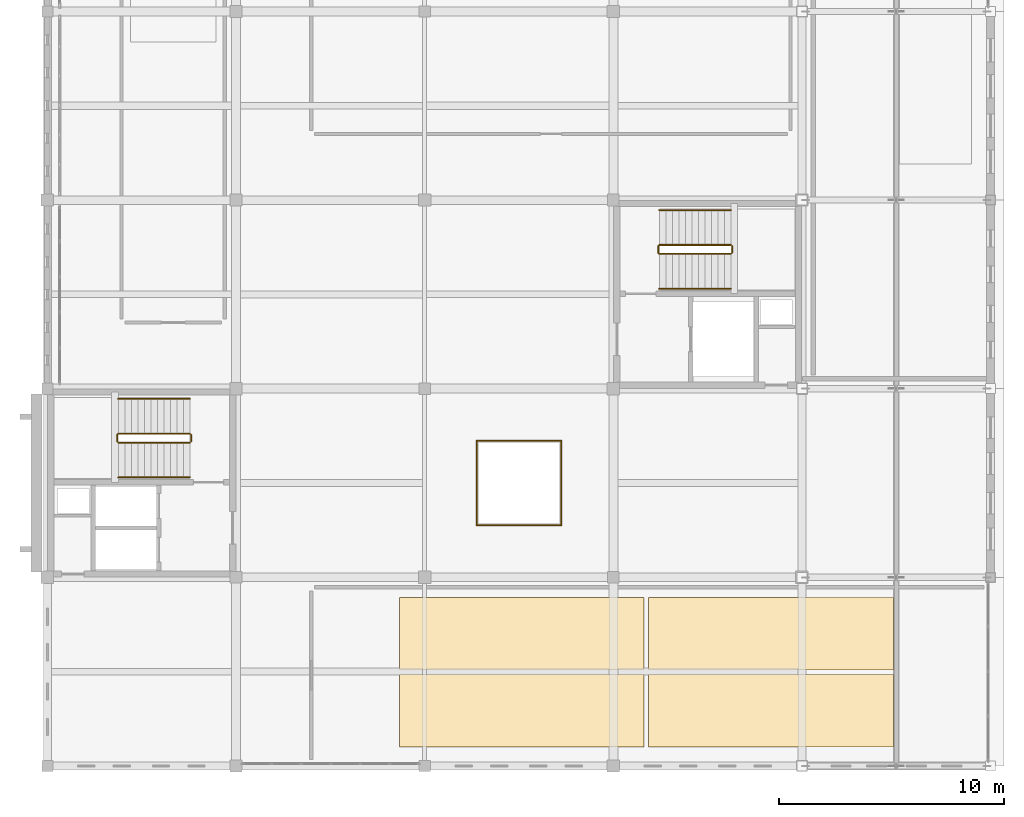
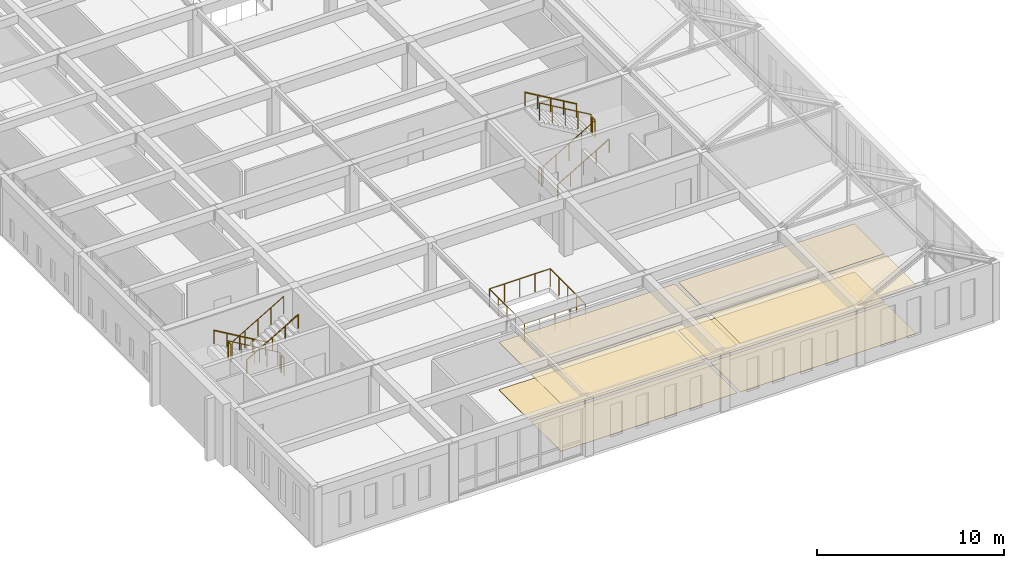
# One storey, part 34 of 36: 16 railings, 8 coverings.
"""IFC4 building model written with IfcOpenShell, lengths in metres."""

from ifc_helpers import new_model, si_unit, direction, frame, origin, origin_2d, place, context, subcontext, project, spatial, rectangle, circle, extrude, material, layer, layer_set, type_object, element, save


model = new_model("IFC4")

# Units and contexts
model_context = context("Model", 3, precision=1e-05, world=origin(), true_north=direction((0.0, 1.0)))
body_context = subcontext(model_context, "Body", "Model", "MODEL_VIEW")
ifc_project = project(units=[si_unit("LENGTHUNIT", "METRE"), si_unit("AREAUNIT", "SQUARE_METRE"), si_unit("VOLUMEUNIT", "CUBIC_METRE"), si_unit("PLANEANGLEUNIT", "RADIAN"), si_unit("MASSUNIT", "GRAM", prefix="KILO")], contexts=[model_context])

# Site, building, storey
site_placement = place(None, origin())
site = spatial("IfcSite", under=ifc_project, at=site_placement, CompositionType="ELEMENT")
building_placement = place(site_placement, origin())
building = spatial("IfcBuilding", under=site, at=building_placement, Name="Kveldsbrygga Polytechnic", CompositionType="ELEMENT")
storey_placement = place(building_placement, frame((0.0, 0.0, 22.10009765625)))
storey = spatial("IfcBuildingStorey", under=building, at=storey_placement, Name="L05", CompositionType="ELEMENT", Elevation=22.10009765625)

# Coverings
ifc_material_1 = material(Name="Acoustic mineral baffle ceiling")
ifc_layer_1 = layer(ifc_material_1, 0.030029296875)
ifc_layer_set_1 = layer_set([ifc_layer_1], Name="Acoustic mineral baffle ceiling")
covering_type_1 = type_object("IfcCoveringType", Name="COV-CEIL-AC30", PredefinedType="CEILING", material=ifc_layer_set_1)
for number, where, z_axis, x_axis, name in (
    (1, (147.125, 19.262451171875, 3.10009765625), (0.0, 0.0, 1.0), (1.0, 0.0, 0.0), "Acoustic Ceiling SP-L05-STD51-WS"),
    (2, (147.125, 22.6875, 3.10009765625), (0.0, 0.0, 1.0), (1.0, 0.0, 0.0), "Acoustic Ceiling SP-L05-STD51-WN"),
    (3, (158.22509765625, 19.262451171875, 3.14990234375), (0.0, 0.0, 1.0), (1.0, 0.0, 0.0), "Acoustic Ceiling SP-L05-STD51-ES"),
    (4, (158.22509765625, 22.6875, 3.14990234375), (0.0, 0.0, 1.0), (1.0, 0.0, 0.0), "Acoustic Ceiling SP-L05-STD51-EN"),
):
    element("IfcCovering", number, at=place(storey_placement, frame(where, z_axis=z_axis, x_axis=x_axis)), inside=storey, type_object=covering_type_1, Name=name, PredefinedType="CEILING", context=body_context, shape_type="SweptSolid", body=[
        extrude(rectangle(XDim=10.89990234375, YDim=3.22509765625, at=origin_2d()), origin(), (0.0, 0.0, 1.0), 0.030029296875),
    ])
ifc_material_2 = material(Name="Acoustic oak timber flooring", Category="wood")
ifc_layer_2 = layer(ifc_material_2, 0.02197265625)
ifc_layer_set_2 = layer_set([ifc_layer_2], Name="Acoustic oak timber flooring")
covering_type_2 = type_object("IfcCoveringType", Name="COV-FLR-OAK22", PredefinedType="FLOORING", material=ifc_layer_set_2)
for number, where, z_axis, x_axis, name in (
    (5, (147.125, 19.262451171875, 0.0), (0.0, 0.0, 1.0), (1.0, 0.0, 0.0), "Room Flooring SP-L05-STD51-WS"),
    (6, (147.125, 22.6875, 0.0), (0.0, 0.0, 1.0), (1.0, 0.0, 0.0), "Room Flooring SP-L05-STD51-WN"),
    (7, (158.22509765625, 19.262451171875, 0.0), (0.0, 0.0, 1.0), (1.0, 0.0, 0.0), "Room Flooring SP-L05-STD51-ES"),
    (8, (158.22509765625, 22.6875, 0.0), (0.0, 0.0, 1.0), (1.0, 0.0, 0.0), "Room Flooring SP-L05-STD51-EN"),
):
    element("IfcCovering", number, at=place(storey_placement, frame(where, z_axis=z_axis, x_axis=x_axis)), inside=storey, type_object=covering_type_2, Name=name, PredefinedType="FLOORING", context=body_context, shape_type="SweptSolid", body=[
        extrude(rectangle(XDim=10.89990234375, YDim=3.22509765625, at=origin_2d()), origin(), (0.0, 0.0, 1.0), 0.02197265625),
    ])

# Railings
ifc_material_3 = material(Name="Steel S355", Category="steel")
railing_type_1 = type_object("IfcRailingType", Name="RL-STAIR-GRD", PredefinedType="GUARDRAIL", material=ifc_material_3)
railing_1_placement = place(storey_placement, frame((132.35009765625, 31.60009765625, 0.169921875)))
element("IfcRailing", 9, at=railing_1_placement, inside=storey, type_object=railing_type_1, Name="L05 ST-1 stair guard 1", PredefinedType="GUARDRAIL", context=body_context, shape_type="SweptSolid", body=[
    extrude(circle(Radius=0.02392578125, at=origin_2d()), frame((0.0, 0.0, 1.1259765625), z_axis=(-0.862725780356, 0.0, 0.505672055693), x_axis=(0.0, -1.0, 0.0)), (0.0, 0.0, 1.0), 3.69775390625),
    extrude(circle(Radius=0.02099609375, at=origin_2d()), origin(), (0.0, 0.0, 1.0), 1.097900390625),
    extrude(circle(Radius=0.02099609375, at=origin_2d()), frame((-0.797607421875, 0.0, 0.467529296875)), (0.0, 0.0, 1.0), 1.097900390625),
    extrude(circle(Radius=0.02099609375, at=origin_2d()), frame((-1.59521484375, 0.0, 0.93505859375)), (0.0, 0.0, 1.0), 1.097900390625),
    extrude(circle(Radius=0.02099609375, at=origin_2d()), frame((-2.392578125, 0.0, 1.40234375)), (0.0, 0.0, 1.0), 1.097900390625),
    extrude(circle(Radius=0.02099609375, at=origin_2d()), frame((-3.190185546875, 0.0, 1.869873046875)), (0.0, 0.0, 1.0), 1.097900390625),
])
railing_2_placement = place(storey_placement, frame((129.110107421875, 31.550048828125, 2.039794921875)))
element("IfcRailing", 10, at=railing_2_placement, inside=storey, type_object=railing_type_1, Name="L05 ST-1 stair guard 2", PredefinedType="GUARDRAIL", context=body_context, shape_type="SweptSolid", body=[
    extrude(circle(Radius=0.02392578125, at=origin_2d()), frame((0.0, 0.0, 1.1259765625), z_axis=(0.0, -1.0, 0.0), x_axis=(1.0, 0.0, 0.0)), (0.0, 0.0, 1.0), 0.300048828125),
    extrude(circle(Radius=0.02099609375, at=origin_2d()), origin(), (0.0, 0.0, 1.0), 1.097900390625),
    extrude(circle(Radius=0.02099609375, at=origin_2d()), frame((0.0, -0.300048828125, 0.0)), (0.0, 0.0, 1.0), 1.097900390625),
])
railing_3_placement = place(storey_placement, frame((129.159912109375, 31.199951171875, 2.2099609375)))
element("IfcRailing", 11, at=railing_3_placement, inside=storey, type_object=railing_type_1, Name="L05 ST-1 stair guard 3", PredefinedType="GUARDRAIL", context=body_context, shape_type="SweptSolid", body=[
    extrude(circle(Radius=0.02392578125, at=origin_2d()), frame((0.0, 0.0, 1.1259765625), z_axis=(0.862725780356, 0.0, 0.505672055693), x_axis=(0.0, 1.0, 0.0)), (0.0, 0.0, 1.0), 3.69775390625),
    extrude(circle(Radius=0.02099609375, at=origin_2d()), origin(), (0.0, 0.0, 1.0), 1.097900390625),
    extrude(circle(Radius=0.02099609375, at=origin_2d()), frame((0.797607421875, 0.0, 0.467529296875)), (0.0, 0.0, 1.0), 1.097900390625),
    extrude(circle(Radius=0.02099609375, at=origin_2d()), frame((1.59521484375, 0.0, 0.93505859375)), (0.0, 0.0, 1.0), 1.097900390625),
    extrude(circle(Radius=0.02099609375, at=origin_2d()), frame((2.392578125, 0.0, 1.40234375)), (0.0, 0.0, 1.0), 1.097900390625),
    extrude(circle(Radius=0.02099609375, at=origin_2d()), frame((3.190185546875, 0.0, 1.869873046875)), (0.0, 0.0, 1.0), 1.097900390625),
])
railing_4_placement = place(storey_placement, frame((132.39990234375, 31.550048828125, 0.0)))
element("IfcRailing", 12, at=railing_4_placement, inside=storey, type_object=railing_type_1, Name="L05 ST-1 stair guard 4", PredefinedType="GUARDRAIL", context=body_context, shape_type="SweptSolid", body=[
    extrude(circle(Radius=0.02392578125, at=origin_2d()), frame((0.0, 0.0, 1.1259765625), z_axis=(0.0, -1.0, 0.0), x_axis=(1.0, 0.0, 0.0)), (0.0, 0.0, 1.0), 0.300048828125),
    extrude(circle(Radius=0.02099609375, at=origin_2d()), origin(), (0.0, 0.0, 1.0), 1.097900390625),
    extrude(circle(Radius=0.02099609375, at=origin_2d()), frame((0.0, -0.300048828125, 0.0)), (0.0, 0.0, 1.0), 1.097900390625),
])
railing_5_placement = place(storey_placement, frame((153.25, 39.60009765625, 0.169921875)))
element("IfcRailing", 13, at=railing_5_placement, inside=storey, type_object=railing_type_1, Name="L05 ST-3 stair guard 1", PredefinedType="GUARDRAIL", context=body_context, shape_type="SweptSolid", body=[
    extrude(circle(Radius=0.02392578125, at=origin_2d()), frame((0.0, 0.0, 1.1259765625), z_axis=(0.86270889649, 0.0, 0.505700860111), x_axis=(0.0, 1.0, 0.0)), (0.0, 0.0, 1.0), 3.697509765625),
    extrude(circle(Radius=0.02099609375, at=origin_2d()), origin(), (0.0, 0.0, 1.0), 1.097900390625),
    extrude(circle(Radius=0.02099609375, at=origin_2d()), frame((0.79736328125, 0.0, 0.467529296875)), (0.0, 0.0, 1.0), 1.097900390625),
    extrude(circle(Radius=0.02099609375, at=origin_2d()), frame((1.594970703125, 0.0, 0.93505859375)), (0.0, 0.0, 1.0), 1.097900390625),
    extrude(circle(Radius=0.02099609375, at=origin_2d()), frame((2.392578125, 0.0, 1.40234375)), (0.0, 0.0, 1.0), 1.097900390625),
    extrude(circle(Radius=0.02099609375, at=origin_2d()), frame((3.18994140625, 0.0, 1.869873046875)), (0.0, 0.0, 1.0), 1.097900390625),
])
railing_6_placement = place(storey_placement, frame((156.489990234375, 39.64990234375, 2.039794921875)))
element("IfcRailing", 14, at=railing_6_placement, inside=storey, type_object=railing_type_1, Name="L05 ST-3 stair guard 2", PredefinedType="GUARDRAIL", context=body_context, shape_type="SweptSolid", body=[
    extrude(circle(Radius=0.02392578125, at=origin_2d()), frame((0.0, 0.0, 1.1259765625), z_axis=(0.0, 1.0, 0.0), x_axis=(-1.0, 0.0, 0.0)), (0.0, 0.0, 1.0), 0.300048828125),
    extrude(circle(Radius=0.02099609375, at=origin_2d()), origin(), (0.0, 0.0, 1.0), 1.097900390625),
    extrude(circle(Radius=0.02099609375, at=origin_2d()), frame((0.0, 0.300048828125, 0.0)), (0.0, 0.0, 1.0), 1.097900390625),
])
railing_7_placement = place(storey_placement, frame((156.43994140625, 40.0, 2.2099609375)))
element("IfcRailing", 15, at=railing_7_placement, inside=storey, type_object=railing_type_1, Name="L05 ST-3 stair guard 3", PredefinedType="GUARDRAIL", context=body_context, shape_type="SweptSolid", body=[
    extrude(circle(Radius=0.02392578125, at=origin_2d()), frame((0.0, 0.0, 1.1259765625), z_axis=(-0.86270889649, 0.0, 0.505700860111), x_axis=(0.0, -1.0, 0.0)), (0.0, 0.0, 1.0), 3.697509765625),
    extrude(circle(Radius=0.02099609375, at=origin_2d()), origin(), (0.0, 0.0, 1.0), 1.097900390625),
    extrude(circle(Radius=0.02099609375, at=origin_2d()), frame((-0.79736328125, 0.0, 0.467529296875)), (0.0, 0.0, 1.0), 1.097900390625),
    extrude(circle(Radius=0.02099609375, at=origin_2d()), frame((-1.594970703125, 0.0, 0.93505859375)), (0.0, 0.0, 1.0), 1.097900390625),
    extrude(circle(Radius=0.02099609375, at=origin_2d()), frame((-2.392578125, 0.0, 1.40234375)), (0.0, 0.0, 1.0), 1.097900390625),
    extrude(circle(Radius=0.02099609375, at=origin_2d()), frame((-3.18994140625, 0.0, 1.869873046875)), (0.0, 0.0, 1.0), 1.097900390625),
])
railing_8_placement = place(storey_placement, frame((153.199951171875, 39.64990234375, 0.0)))
element("IfcRailing", 16, at=railing_8_placement, inside=storey, type_object=railing_type_1, Name="L05 ST-3 stair guard 4", PredefinedType="GUARDRAIL", context=body_context, shape_type="SweptSolid", body=[
    extrude(circle(Radius=0.02392578125, at=origin_2d()), frame((0.0, 0.0, 1.1259765625), z_axis=(0.0, 1.0, 0.0), x_axis=(-1.0, 0.0, 0.0)), (0.0, 0.0, 1.0), 0.300048828125),
    extrude(circle(Radius=0.02099609375, at=origin_2d()), origin(), (0.0, 0.0, 1.0), 1.097900390625),
    extrude(circle(Radius=0.02099609375, at=origin_2d()), frame((0.0, 0.300048828125, 0.0)), (0.0, 0.0, 1.0), 1.097900390625),
])
railing_type_2 = type_object("IfcRailingType", Name="RL-STAIR-HND", PredefinedType="HANDRAIL", material=ifc_material_3)
railing_9_placement = place(storey_placement, frame((132.35009765625, 33.14990234375, 0.169921875)))
element("IfcRailing", 17, at=railing_9_placement, inside=storey, type_object=railing_type_2, Name="L05 ST-1 stair handrail 1", PredefinedType="HANDRAIL", context=body_context, shape_type="SweptSolid", body=[
    extrude(circle(Radius=0.02392578125, at=origin_2d()), frame((0.0, 0.0, 0.8759765625), z_axis=(-0.862725780356, 0.0, 0.505672055693), x_axis=(0.0, -1.0, 0.0)), (0.0, 0.0, 1.0), 3.69775390625),
    extrude(circle(Radius=0.02099609375, at=origin_2d()), origin(), (0.0, 0.0, 1.0), 0.847900390625),
    extrude(circle(Radius=0.02099609375, at=origin_2d()), frame((-0.797607421875, 0.0, 0.467529296875)), (0.0, 0.0, 1.0), 0.847900390625),
    extrude(circle(Radius=0.02099609375, at=origin_2d()), frame((-1.59521484375, 0.0, 0.93505859375)), (0.0, 0.0, 1.0), 0.847900390625),
    extrude(circle(Radius=0.02099609375, at=origin_2d()), frame((-2.392578125, 0.0, 1.40234375)), (0.0, 0.0, 1.0), 0.847900390625),
    extrude(circle(Radius=0.02099609375, at=origin_2d()), frame((-3.190185546875, 0.0, 1.869873046875)), (0.0, 0.0, 1.0), 0.847900390625),
])
railing_10_placement = place(storey_placement, frame((129.159912109375, 29.64990234375, 2.2099609375)))
element("IfcRailing", 18, at=railing_10_placement, inside=storey, type_object=railing_type_2, Name="L05 ST-1 stair handrail 2", PredefinedType="HANDRAIL", context=body_context, shape_type="SweptSolid", body=[
    extrude(circle(Radius=0.02392578125, at=origin_2d()), frame((0.0, 0.0, 0.8759765625), z_axis=(0.862725780356, 0.0, 0.505672055693), x_axis=(0.0, 1.0, 0.0)), (0.0, 0.0, 1.0), 3.69775390625),
    extrude(circle(Radius=0.02099609375, at=origin_2d()), origin(), (0.0, 0.0, 1.0), 0.847900390625),
    extrude(circle(Radius=0.02099609375, at=origin_2d()), frame((0.797607421875, 0.0, 0.467529296875)), (0.0, 0.0, 1.0), 0.847900390625),
    extrude(circle(Radius=0.02099609375, at=origin_2d()), frame((1.59521484375, 0.0, 0.93505859375)), (0.0, 0.0, 1.0), 0.847900390625),
    extrude(circle(Radius=0.02099609375, at=origin_2d()), frame((2.392578125, 0.0, 1.40234375)), (0.0, 0.0, 1.0), 0.847900390625),
    extrude(circle(Radius=0.02099609375, at=origin_2d()), frame((3.190185546875, 0.0, 1.869873046875)), (0.0, 0.0, 1.0), 0.847900390625),
])
railing_11_placement = place(storey_placement, frame((153.25, 38.050048828125, 0.169921875)))
element("IfcRailing", 19, at=railing_11_placement, inside=storey, type_object=railing_type_2, Name="L05 ST-3 stair handrail 1", PredefinedType="HANDRAIL", context=body_context, shape_type="SweptSolid", body=[
    extrude(circle(Radius=0.02392578125, at=origin_2d()), frame((0.0, 0.0, 0.8759765625), z_axis=(0.86270889649, 0.0, 0.505700860111), x_axis=(0.0, 1.0, 0.0)), (0.0, 0.0, 1.0), 3.697509765625),
    extrude(circle(Radius=0.02099609375, at=origin_2d()), origin(), (0.0, 0.0, 1.0), 0.847900390625),
    extrude(circle(Radius=0.02099609375, at=origin_2d()), frame((0.79736328125, 0.0, 0.467529296875)), (0.0, 0.0, 1.0), 0.847900390625),
    extrude(circle(Radius=0.02099609375, at=origin_2d()), frame((1.594970703125, 0.0, 0.93505859375)), (0.0, 0.0, 1.0), 0.847900390625),
    extrude(circle(Radius=0.02099609375, at=origin_2d()), frame((2.392578125, 0.0, 1.40234375)), (0.0, 0.0, 1.0), 0.847900390625),
    extrude(circle(Radius=0.02099609375, at=origin_2d()), frame((3.18994140625, 0.0, 1.869873046875)), (0.0, 0.0, 1.0), 0.847900390625),
])
railing_12_placement = place(storey_placement, frame((156.43994140625, 41.550048828125, 2.2099609375)))
element("IfcRailing", 20, at=railing_12_placement, inside=storey, type_object=railing_type_2, Name="L05 ST-3 stair handrail 2", PredefinedType="HANDRAIL", context=body_context, shape_type="SweptSolid", body=[
    extrude(circle(Radius=0.02392578125, at=origin_2d()), frame((0.0, 0.0, 0.8759765625), z_axis=(-0.86270889649, 0.0, 0.505700860111), x_axis=(0.0, -1.0, 0.0)), (0.0, 0.0, 1.0), 3.697509765625),
    extrude(circle(Radius=0.02099609375, at=origin_2d()), origin(), (0.0, 0.0, 1.0), 0.847900390625),
    extrude(circle(Radius=0.02099609375, at=origin_2d()), frame((-0.79736328125, 0.0, 0.467529296875)), (0.0, 0.0, 1.0), 0.847900390625),
    extrude(circle(Radius=0.02099609375, at=origin_2d()), frame((-1.594970703125, 0.0, 0.93505859375)), (0.0, 0.0, 1.0), 0.847900390625),
    extrude(circle(Radius=0.02099609375, at=origin_2d()), frame((-2.392578125, 0.0, 1.40234375)), (0.0, 0.0, 1.0), 0.847900390625),
    extrude(circle(Radius=0.02099609375, at=origin_2d()), frame((-3.18994140625, 0.0, 1.869873046875)), (0.0, 0.0, 1.0), 0.847900390625),
])
railing_type_3 = type_object("IfcRailingType", Name="RL-VOID-GRD", PredefinedType="GUARDRAIL", material=ifc_material_3)
railing_13_placement = place(storey_placement, frame((145.1201171875, 27.52001953125, 0.0)))
element("IfcRailing", 21, at=railing_13_placement, inside=storey, type_object=railing_type_3, Name="Atrium Well Guard GRD-L05-WELL-3-S", PredefinedType="GUARDRAIL", context=body_context, shape_type="SweptSolid", body=[
    extrude(circle(Radius=0.02392578125, at=origin_2d()), frame((0.0, 0.0, 1.17578125), z_axis=(1.0, 0.0, 0.0), x_axis=(0.0, 1.0, 0.0)), (0.0, 0.0, 1.0), 3.759765625),
    extrude(circle(Radius=0.02099609375, at=origin_2d()), origin(), (0.0, 0.0, 1.0), 1.14794921875),
    extrude(circle(Radius=0.02099609375, at=origin_2d()), frame((0.93994140625, 0.0, 0.0)), (0.0, 0.0, 1.0), 1.14794921875),
    extrude(circle(Radius=0.02099609375, at=origin_2d()), frame((1.8798828125, 0.0, 0.0)), (0.0, 0.0, 1.0), 1.14794921875),
    extrude(circle(Radius=0.02099609375, at=origin_2d()), frame((2.81982421875, 0.0, 0.0)), (0.0, 0.0, 1.0), 1.14794921875),
    extrude(circle(Radius=0.02099609375, at=origin_2d()), frame((3.759765625, 0.0, 0.0)), (0.0, 0.0, 1.0), 1.14794921875),
])
railing_14_placement = place(storey_placement, frame((148.8798828125, 27.52001953125, 0.0)))
element("IfcRailing", 22, at=railing_14_placement, inside=storey, type_object=railing_type_3, Name="Atrium Well Guard GRD-L05-WELL-3-E", PredefinedType="GUARDRAIL", context=body_context, shape_type="SweptSolid", body=[
    extrude(circle(Radius=0.02392578125, at=origin_2d()), frame((0.0, 0.0, 1.17578125), z_axis=(0.0, 1.0, 0.0), x_axis=(-1.0, 0.0, 0.0)), (0.0, 0.0, 1.0), 3.760009765625),
    extrude(circle(Radius=0.02099609375, at=origin_2d()), origin(), (0.0, 0.0, 1.0), 1.14794921875),
    extrude(circle(Radius=0.02099609375, at=origin_2d()), frame((0.0, 0.93994140625, 0.0)), (0.0, 0.0, 1.0), 1.14794921875),
    extrude(circle(Radius=0.02099609375, at=origin_2d()), frame((0.0, 1.8798828125, 0.0)), (0.0, 0.0, 1.0), 1.14794921875),
    extrude(circle(Radius=0.02099609375, at=origin_2d()), frame((0.0, 2.820068359375, 0.0)), (0.0, 0.0, 1.0), 1.14794921875),
    extrude(circle(Radius=0.02099609375, at=origin_2d()), frame((0.0, 3.760009765625, 0.0)), (0.0, 0.0, 1.0), 1.14794921875),
])
railing_15_placement = place(storey_placement, frame((148.8798828125, 31.280029296875, 0.0)))
element("IfcRailing", 23, at=railing_15_placement, inside=storey, type_object=railing_type_3, Name="Atrium Well Guard GRD-L05-WELL-3-N", PredefinedType="GUARDRAIL", context=body_context, shape_type="SweptSolid", body=[
    extrude(circle(Radius=0.02392578125, at=origin_2d()), frame((0.0, 0.0, 1.17578125), z_axis=(-1.0, 0.0, 0.0), x_axis=(0.0, -1.0, 0.0)), (0.0, 0.0, 1.0), 3.759765625),
    extrude(circle(Radius=0.02099609375, at=origin_2d()), origin(), (0.0, 0.0, 1.0), 1.14794921875),
    extrude(circle(Radius=0.02099609375, at=origin_2d()), frame((-0.93994140625, 0.0, 0.0)), (0.0, 0.0, 1.0), 1.14794921875),
    extrude(circle(Radius=0.02099609375, at=origin_2d()), frame((-1.8798828125, 0.0, 0.0)), (0.0, 0.0, 1.0), 1.14794921875),
    extrude(circle(Radius=0.02099609375, at=origin_2d()), frame((-2.81982421875, 0.0, 0.0)), (0.0, 0.0, 1.0), 1.14794921875),
    extrude(circle(Radius=0.02099609375, at=origin_2d()), frame((-3.759765625, 0.0, 0.0)), (0.0, 0.0, 1.0), 1.14794921875),
])
railing_16_placement = place(storey_placement, frame((145.1201171875, 31.280029296875, 0.0)))
element("IfcRailing", 24, at=railing_16_placement, inside=storey, type_object=railing_type_3, Name="Atrium Well Guard GRD-L05-WELL-3-W", PredefinedType="GUARDRAIL", context=body_context, shape_type="SweptSolid", body=[
    extrude(circle(Radius=0.02392578125, at=origin_2d()), frame((0.0, 0.0, 1.17578125), z_axis=(0.0, -1.0, 0.0), x_axis=(1.0, 0.0, 0.0)), (0.0, 0.0, 1.0), 3.760009765625),
    extrude(circle(Radius=0.02099609375, at=origin_2d()), origin(), (0.0, 0.0, 1.0), 1.14794921875),
    extrude(circle(Radius=0.02099609375, at=origin_2d()), frame((0.0, -0.93994140625, 0.0)), (0.0, 0.0, 1.0), 1.14794921875),
    extrude(circle(Radius=0.02099609375, at=origin_2d()), frame((0.0, -1.8798828125, 0.0)), (0.0, 0.0, 1.0), 1.14794921875),
    extrude(circle(Radius=0.02099609375, at=origin_2d()), frame((0.0, -2.820068359375, 0.0)), (0.0, 0.0, 1.0), 1.14794921875),
    extrude(circle(Radius=0.02099609375, at=origin_2d()), frame((0.0, -3.760009765625, 0.0)), (0.0, 0.0, 1.0), 1.14794921875),
])

save(model, "model.ifc")
